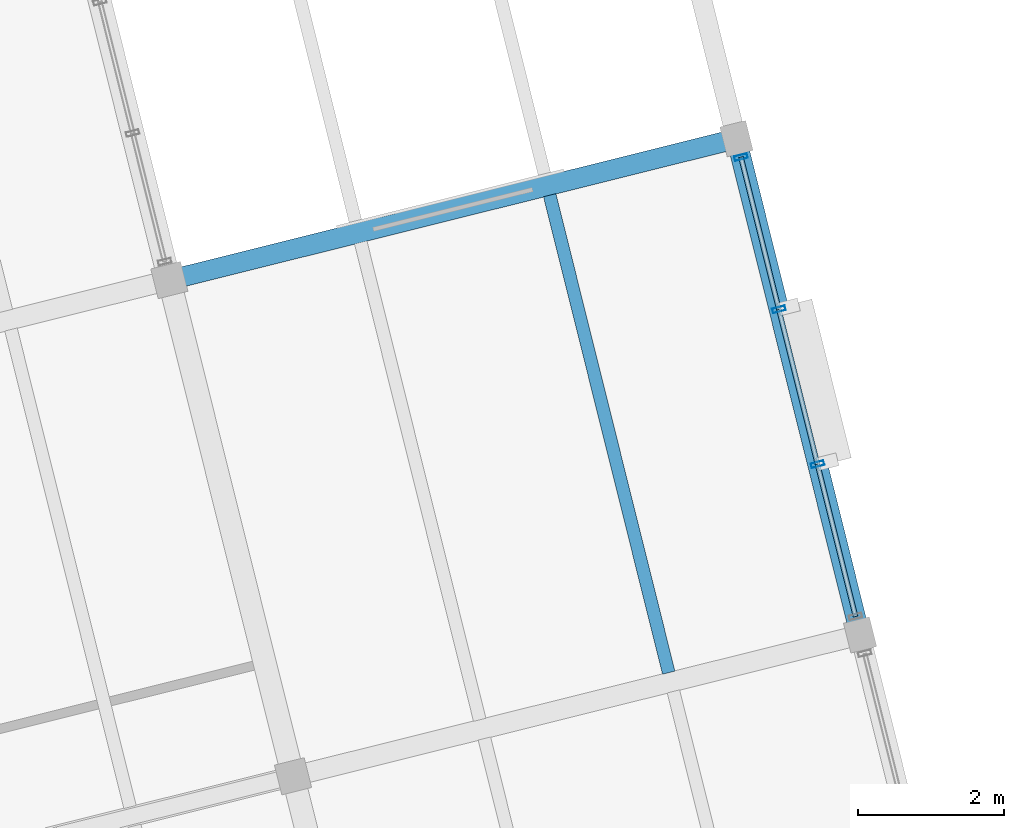
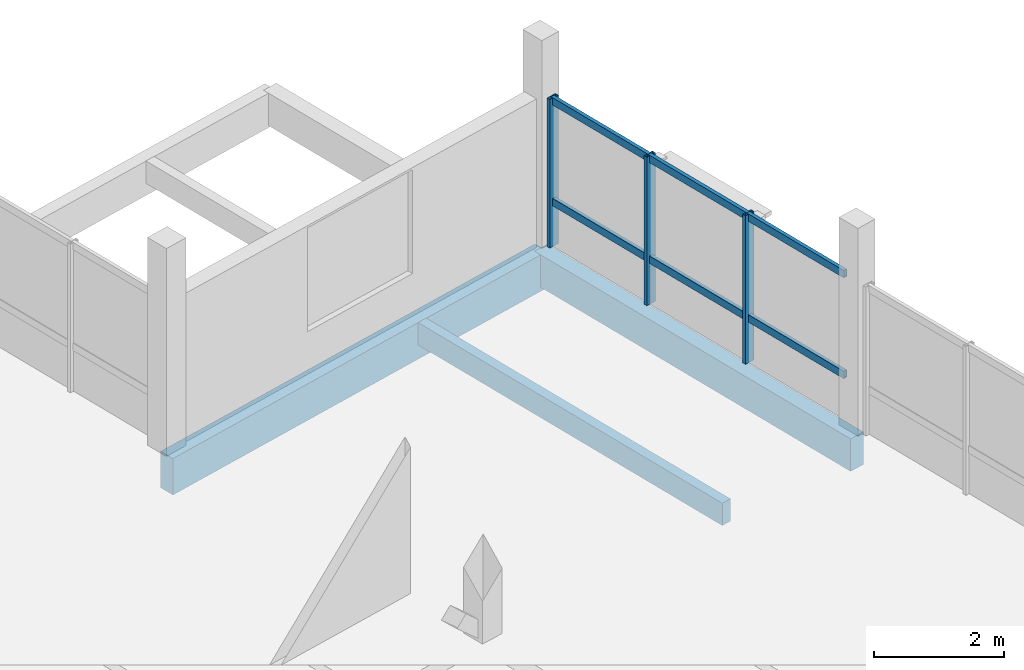
# One storey, part 20 of 27: 9 members, 3 beams, 1 element without a shape of its own.
"""IFC4 building model written with IfcOpenShell, lengths in metres."""

from ifc_helpers import new_model, si_unit, direction, frame, origin, origin_2d, place, context, subcontext, project, spatial, rectangle, hollow_rectangle, extrude, material, layer, layer_set, material_profile, profile_set, type_object, element, aggregate, save


model = new_model("IFC4")

# Units and contexts
model_context = context("Model", 3, precision=1e-05, world=origin(), true_north=direction((0.0, 1.0)))
body_context = subcontext(model_context, "Body", "Model", "MODEL_VIEW")
ifc_project = project(units=[si_unit("LENGTHUNIT", "METRE"), si_unit("AREAUNIT", "SQUARE_METRE"), si_unit("VOLUMEUNIT", "CUBIC_METRE"), si_unit("PLANEANGLEUNIT", "RADIAN"), si_unit("MASSUNIT", "GRAM", prefix="KILO")], contexts=[model_context])

# Site, building, storey
site_placement = place(None, origin())
site = spatial("IfcSite", under=ifc_project, at=site_placement, CompositionType="ELEMENT")
building_placement = place(site_placement, origin())
building = spatial("IfcBuilding", under=site, at=building_placement, Name="Meriwether Solvik Hall", CompositionType="ELEMENT")
storey_placement = place(building_placement, frame((0.0, 0.0, 33.89990234375)))
storey = spatial("IfcBuildingStorey", under=building, at=storey_placement, Name="L08", CompositionType="ELEMENT", Elevation=33.89990234375)

# Beams
ifc_material_1 = material(Name="Glulam Douglas-Fir 24F-V8 GL28h", Category="wood")
ifc_material_profile_1 = material_profile(ifc_material_1, rectangle(XDim=0.27294921875, YDim=0.610107421875, at=origin_2d()), Name="GLB-273X610")
ifc_profile_set_1 = profile_set([ifc_material_profile_1], Name="Glulam Douglas-Fir 24F-V8 GL28h")
beam_type_1 = type_object("IfcBeamType", Name="BM-GL-273X610", PredefinedType="SPANDREL", material=ifc_profile_set_1)
beam_1_placement = place(storey_placement, frame((106.212646484375, 72.220703125, -0.48486328125), z_axis=(-0.241903692719, 0.970300264582, 0.0), x_axis=(-0.970300264582, -0.241903692719, 0.0)))
element("IfcBeam", 1, at=beam_1_placement, inside=storey, type_object=beam_type_1, Name="Tower Girder T7:TD-TE (L08)", PredefinedType="SPANDREL", context=body_context, shape_type="SweptSolid", body=[
    extrude(rectangle(XDim=0.27294921875, YDim=0.610107421875, at=origin_2d()), origin(), (0.0, 0.0, 1.0), 7.000244140625),
])
ifc_material_2 = material(Name="Glulam Douglas-Fir 24F-V8 GL28h", Category="wood")
ifc_material_profile_2 = material_profile(ifc_material_2, rectangle(XDim=0.27294921875, YDim=0.68505859375, at=origin_2d()), Name="GLB-273X685")
ifc_profile_set_2 = profile_set([ifc_material_profile_2], Name="Glulam Douglas-Fir 24F-V8 GL28h")
beam_type_2 = type_object("IfcBeamType", Name="BM-GL-273X685", PredefinedType="BEAM", material=ifc_profile_set_2)
beam_2_placement = place(storey_placement, frame((96.7568359375, 77.077392578125, -0.5224609375), z_axis=(0.970291312354, 0.241939598187, 0.0), x_axis=(-0.241939598187, 0.970291312354, 0.0)))
element("IfcBeam", 2, at=beam_2_placement, inside=storey, type_object=beam_type_2, Name="Tower Girder TE:T6-T7 (L08)", PredefinedType="BEAM", context=body_context, shape_type="SweptSolid", body=[
    extrude(rectangle(XDim=0.27294921875, YDim=0.68505859375, at=origin_2d()), origin(), (0.0, 0.0, 1.0), 8.000244140625),
])

# Curtain wall, members
ifc_material_3 = material(Name="Thermally Broken Anodised Aluminium 6063-T6 and Low-E Glass", Category="aluminium")
ifc_layer = layer(ifc_material_3, 0.179931640625)
ifc_layer_set = layer_set([ifc_layer], Name="Thermally Broken Anodised Aluminium 6063-T6 and Low-E Glass")
curtain_wall_type = type_object("IfcCurtainWallType", Name="CW-UNIT-C", PredefinedType="USERDEFINED", material=ifc_layer_set)
curtain_wall_placement = place(storey_placement, origin())
curtain_wall = element("IfcCurtainWall", 3, at=curtain_wall_placement, inside=storey, type_object=curtain_wall_type, Name="Curtain Wall E3_B1 (L08)", ObjectType="UNITISED CURTAIN WALL", PredefinedType="USERDEFINED")
ifc_material_4 = material(Name="Anodised Aluminium 6063-T6", Category="aluminium")
ifc_material_profile_3 = material_profile(ifc_material_4, hollow_rectangle(XDim=0.06494140625, YDim=0.179931640625, WallThickness=0.00439453125, at=origin_2d()), Name="CWM-65X180")
ifc_profile_set_3 = profile_set([ifc_material_profile_3], Name="Anodised Aluminium 6063-T6")
member_type_1 = type_object("IfcMemberType", Name="CW-MUL-65X180", PredefinedType="MULLION", material=ifc_profile_set_3)
member_1_placement = place(storey_placement, frame((104.58203125, 78.760498046875, 0.0), z_axis=(0.0, 0.0, 1.0), x_axis=(0.241921751704, -0.970295762153, 0.0)))
member_1 = element("IfcMember", 4, at=member_1_placement, type_object=member_type_1, Name="Curtain Wall Mullion 1", PredefinedType="MULLION", context=body_context, shape_type="SweptSolid", body=[
    extrude(hollow_rectangle(XDim=0.06494140625, YDim=0.179931640625, WallThickness=0.00439453125, at=origin_2d()), origin(), (0.0, 0.0, 1.0), 2.7900390625),
])
member_2_placement = place(storey_placement, frame((105.1015625, 76.677001953125, 0.0), z_axis=(0.0, 0.0, 1.0), x_axis=(0.241921751704, -0.970295762153, 0.0)))
member_2 = element("IfcMember", 5, at=member_2_placement, type_object=member_type_1, Name="Curtain Wall Mullion 2", PredefinedType="MULLION", context=body_context, shape_type="SweptSolid", body=[
    extrude(hollow_rectangle(XDim=0.06494140625, YDim=0.179931640625, WallThickness=0.00439453125, at=origin_2d()), origin(), (0.0, 0.0, 1.0), 2.7900390625),
])
member_3_placement = place(storey_placement, frame((105.63037109375, 74.556640625, 0.0), z_axis=(0.0, 0.0, 1.0), x_axis=(0.241921751704, -0.970295762153, 0.0)))
member_3 = element("IfcMember", 6, at=member_3_placement, type_object=member_type_1, Name="Curtain Wall Mullion 3", PredefinedType="MULLION", context=body_context, shape_type="SweptSolid", body=[
    extrude(hollow_rectangle(XDim=0.06494140625, YDim=0.179931640625, WallThickness=0.00439453125, at=origin_2d()), origin(), (0.0, 0.0, 1.0), 2.7900390625),
])
ifc_material_5 = material(Name="Anodised Aluminium 6063-T6", Category="aluminium")
ifc_material_profile_4 = material_profile(ifc_material_5, hollow_rectangle(XDim=0.06494140625, YDim=0.139892578125, WallThickness=0.00439453125, at=origin_2d()), Name="CWT-65X140")
ifc_profile_set_4 = profile_set([ifc_material_profile_4], Name="Anodised Aluminium 6063-T6")
member_type_2 = type_object("IfcMemberType", Name="CW-TRN-65X140", PredefinedType="USERDEFINED", material=ifc_profile_set_4)
member_4_placement = place(storey_placement, frame((104.58203125, 78.760498046875, 0.837158203125), z_axis=(0.241947031677, -0.970289458802, 0.0), x_axis=(0.970289458802, 0.241947031677, 0.0)))
member_4 = element("IfcMember", 7, at=member_4_placement, type_object=member_type_2, Name="Curtain Wall Transom 1-sill", ObjectType="TRANSOM", PredefinedType="USERDEFINED", context=body_context, shape_type="SweptSolid", body=[
    extrude(hollow_rectangle(XDim=0.06494140625, YDim=0.139892578125, WallThickness=0.00439453125, at=origin_2d()), origin(), (0.0, 0.0, 1.0), 2.147216796875),
])
member_5_placement = place(storey_placement, frame((104.58203125, 78.760498046875, 2.72998046875), z_axis=(0.241947031677, -0.970289458802, 0.0), x_axis=(0.970289458802, 0.241947031677, 0.0)))
member_5 = element("IfcMember", 8, at=member_5_placement, type_object=member_type_2, Name="Curtain Wall Transom 1-head", ObjectType="TRANSOM", PredefinedType="USERDEFINED", context=body_context, shape_type="SweptSolid", body=[
    extrude(hollow_rectangle(XDim=0.06494140625, YDim=0.139892578125, WallThickness=0.00439453125, at=origin_2d()), origin(), (0.0, 0.0, 1.0), 2.147216796875),
])
member_6_placement = place(storey_placement, frame((105.1015625, 76.677001953125, 0.837158203125), z_axis=(0.241983562004, -0.970280349033, 0.0), x_axis=(0.970280349033, 0.241983562004, 0.0)))
member_6 = element("IfcMember", 9, at=member_6_placement, type_object=member_type_2, Name="Curtain Wall Transom 2-sill", ObjectType="TRANSOM", PredefinedType="USERDEFINED", context=body_context, shape_type="SweptSolid", body=[
    extrude(hollow_rectangle(XDim=0.06494140625, YDim=0.139892578125, WallThickness=0.00439453125, at=origin_2d()), origin(), (0.0, 0.0, 1.0), 2.185302734375),
])
member_7_placement = place(storey_placement, frame((105.1015625, 76.677001953125, 2.72998046875), z_axis=(0.241983562004, -0.970280349033, 0.0), x_axis=(0.970280349033, 0.241983562004, 0.0)))
member_7 = element("IfcMember", 10, at=member_7_placement, type_object=member_type_2, Name="Curtain Wall Transom 2-head", ObjectType="TRANSOM", PredefinedType="USERDEFINED", context=body_context, shape_type="SweptSolid", body=[
    extrude(hollow_rectangle(XDim=0.06494140625, YDim=0.139892578125, WallThickness=0.00439453125, at=origin_2d()), origin(), (0.0, 0.0, 1.0), 2.185302734375),
])
member_8_placement = place(storey_placement, frame((105.63037109375, 74.556640625, 0.837158203125), z_axis=(0.241839985979, -0.970316144966, 0.0), x_axis=(0.970316144966, 0.241839985979, 0.0)))
member_8 = element("IfcMember", 11, at=member_8_placement, type_object=member_type_2, Name="Curtain Wall Transom 3-sill", ObjectType="TRANSOM", PredefinedType="USERDEFINED", context=body_context, shape_type="SweptSolid", body=[
    extrude(hollow_rectangle(XDim=0.06494140625, YDim=0.139892578125, WallThickness=0.00439453125, at=origin_2d()), origin(), (0.0, 0.0, 1.0), 2.147216796875),
])
member_9_placement = place(storey_placement, frame((105.63037109375, 74.556640625, 2.72998046875), z_axis=(0.241839985979, -0.970316144966, 0.0), x_axis=(0.970316144966, 0.241839985979, 0.0)))
member_9 = element("IfcMember", 12, at=member_9_placement, type_object=member_type_2, Name="Curtain Wall Transom 3-head", ObjectType="TRANSOM", PredefinedType="USERDEFINED", context=body_context, shape_type="SweptSolid", body=[
    extrude(hollow_rectangle(XDim=0.06494140625, YDim=0.139892578125, WallThickness=0.00439453125, at=origin_2d()), origin(), (0.0, 0.0, 1.0), 2.147216796875),
])
aggregate(curtain_wall, [member_1, member_2, member_3, member_4, member_5, member_6, member_7, member_8, member_9])

# Beam
ifc_material_6 = material(Name="Glulam Douglas-Fir 24F-V8 GL28h", Category="wood")
ifc_material_profile_5 = material_profile(ifc_material_6, rectangle(XDim=0.175048828125, YDim=0.419921875, at=origin_2d()), Name="GLJ-175X420")
ifc_profile_set_5 = profile_set([ifc_material_profile_5], Name="Glulam Douglas-Fir 24F-V8 GL28h")
beam_type_3 = type_object("IfcBeamType", Name="JST-GL-175X420", PredefinedType="JOIST", material=ifc_profile_set_5)
beam_3_placement = place(storey_placement, frame((103.59326171875, 71.703125, -0.389892578125), z_axis=(-0.241887553163, 0.970304288162, 0.0), x_axis=(-0.970304288162, -0.241887553163, 0.0)))
element("IfcBeam", 13, at=beam_3_placement, inside=storey, type_object=beam_type_3, Name="Glulam Floor Joist T6/TD-J2 (L08)", PredefinedType="JOIST", context=body_context, shape_type="SweptSolid", body=[
    extrude(rectangle(XDim=0.175048828125, YDim=0.419921875, at=origin_2d()), origin(), (0.0, 0.0, 1.0), 6.737060546875),
])

save(model, "model.ifc")
